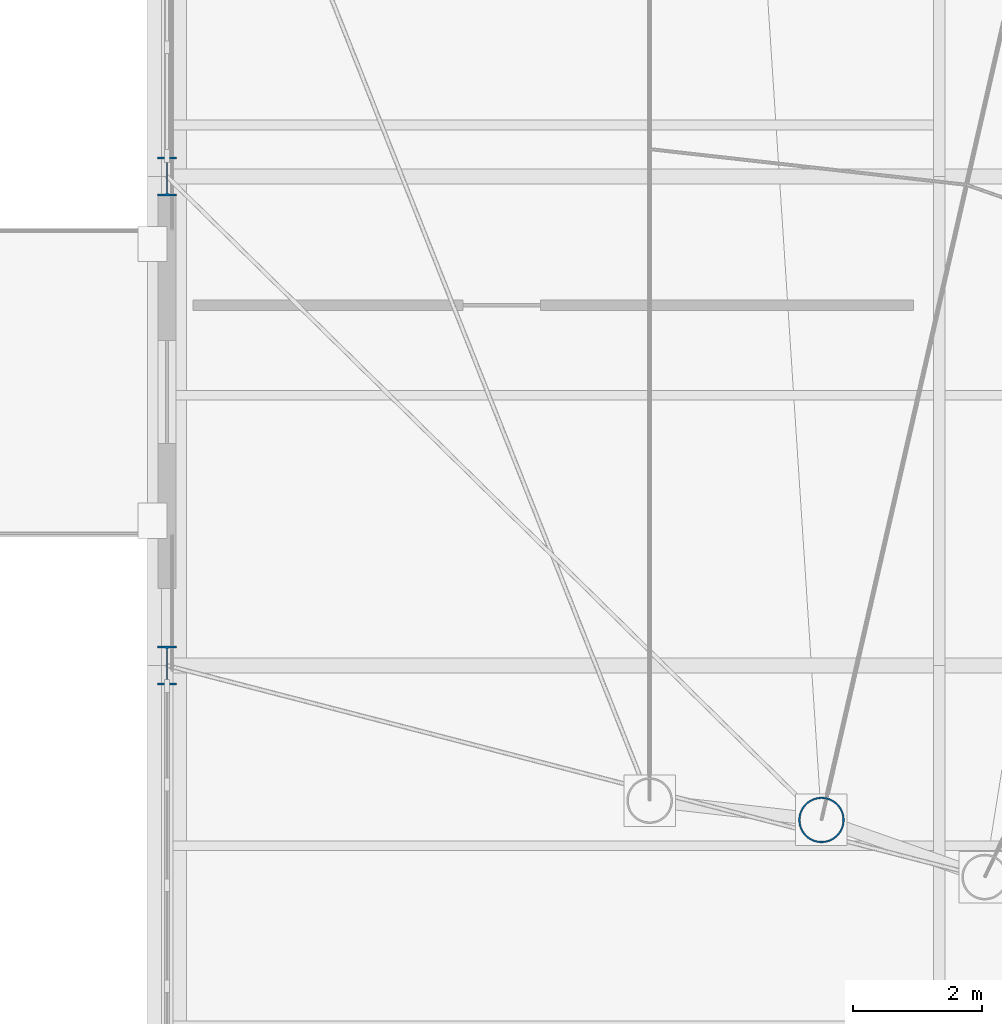
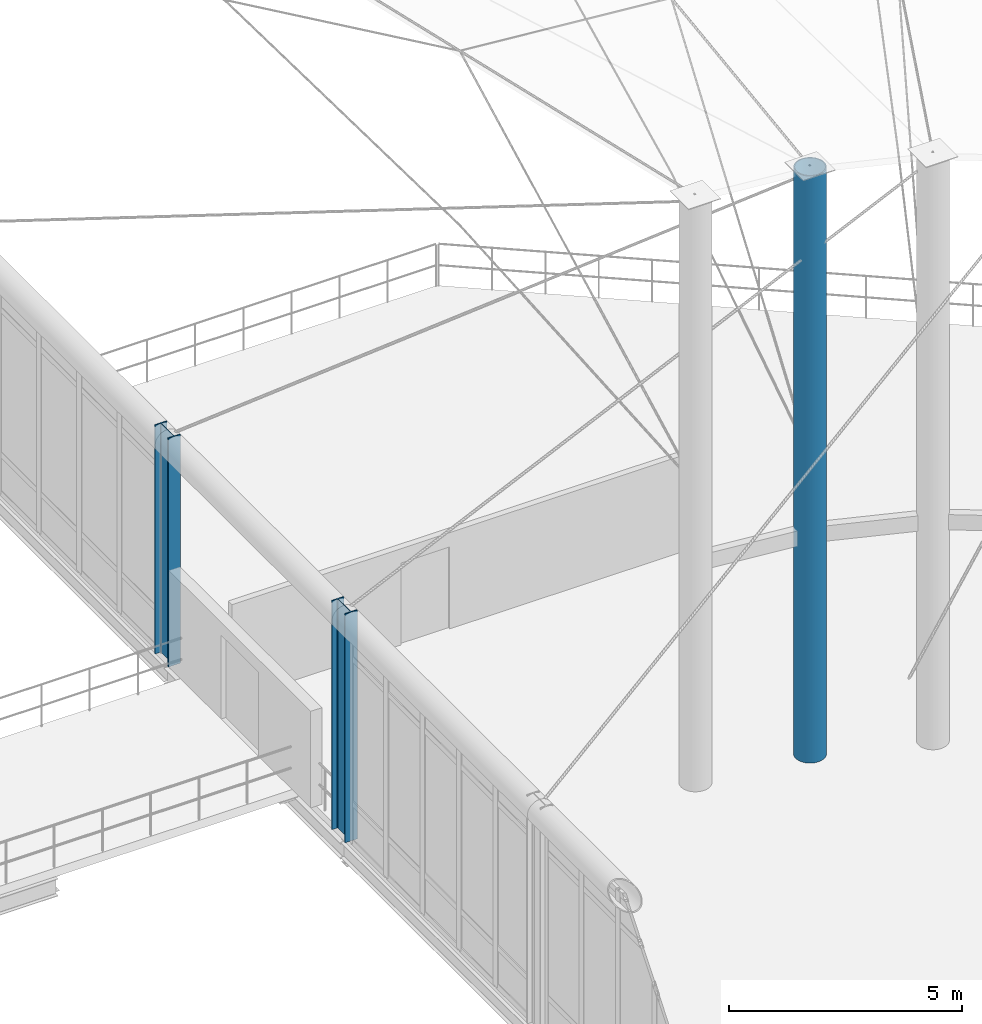
# One storey, part 14 of 101: 3 columns.
"""IFC4 building model written with IfcOpenShell, lengths in metres."""

from ifc_helpers import new_model, si_unit, direction, frame, origin, origin_2d, place, context, subcontext, project, spatial, hollow_circle, i_section, extrude, material, material_profile, profile_set, type_object, element, save


model = new_model("IFC4")

# Units and contexts
model_context = context("Model", 3, precision=1e-05, world=origin(), true_north=direction((0.0, 1.0)))
body_context = subcontext(model_context, "Body", "Model", "MODEL_VIEW")
ifc_project = project(units=[si_unit("LENGTHUNIT", "METRE"), si_unit("AREAUNIT", "SQUARE_METRE"), si_unit("VOLUMEUNIT", "CUBIC_METRE"), si_unit("PLANEANGLEUNIT", "RADIAN"), si_unit("MASSUNIT", "GRAM", prefix="KILO"), si_unit("THERMODYNAMICTEMPERATUREUNIT", "KELVIN"), si_unit("POWERUNIT", "WATT")], contexts=[model_context])

# Site, building, storey
site_placement = place(None, origin())
site = spatial("IfcSite", under=ifc_project, at=site_placement, CompositionType="ELEMENT")
building_placement = place(site_placement, origin())
building = spatial("IfcBuilding", under=site, at=building_placement, Name="Tembeka Court Mobility Hub", CompositionType="ELEMENT")
storey_placement = place(building_placement, frame((0.0, 0.0, 5.39990234375)))
storey = spatial("IfcBuildingStorey", under=building, at=storey_placement, Name="L01", CompositionType="ELEMENT", Elevation=5.39990234375)

# Columns
ifc_material = material(Name="Steel S355", Category="steel")
ifc_material_profile_1 = material_profile(ifc_material, i_section(OverallWidth=0.300048828125, OverallDepth=0.60009765625, WebThickness=0.015380859375, FlangeThickness=0.030029296875, FilletRadius=0.027099609375, at=origin_2d()), Name="HEB 600")
ifc_profile_set_1 = profile_set([ifc_material_profile_1], Name="Steel S355")
column_type_1 = type_object("IfcColumnType", Name="COL-C06", PredefinedType="COLUMN", material=ifc_profile_set_1)
for number, where, z_axis, x_axis, name in (
    (1, (116.39990234375, 80.39990234375, 0.0), (0.0, 0.0, 1.0), (1.0, 0.0, 0.0), "Column C06 (L01-164)"),
    (2, (116.39990234375, 88.0, 0.0), (0.0, 0.0, 1.0), (1.0, 0.0, 0.0), "Column C06 (L01-165)"),
):
    element("IfcColumn", number, at=place(storey_placement, frame(where, z_axis=z_axis, x_axis=x_axis)), inside=storey, type_object=column_type_1, Name=name, PredefinedType="COLUMN", context=body_context, shape_type="SweptSolid", body=[
        extrude(i_section(OverallWidth=0.300048828125, OverallDepth=0.60009765625, WebThickness=0.015380859375, FlangeThickness=0.030029296875, FilletRadius=0.027099609375, at=origin_2d()), origin(), (0.0, 0.0, 1.0), 6.0),
    ])
ifc_material_profile_2 = material_profile(ifc_material, hollow_circle(Radius=0.35546875, WallThickness=0.02490234375, at=origin_2d()), Name="CHS 711x25")
ifc_profile_set_2 = profile_set([ifc_material_profile_2], Name="Steel S355")
column_type_2 = type_object("IfcColumnType", Name="COL-MST01", PredefinedType="COLUMN", material=ifc_profile_set_2)
column_placement = place(storey_placement, frame((126.5703125, 77.9990234375, 0.0), z_axis=(0.0, 0.0, 1.0), x_axis=(1.0, 0.0, 0.0)))
element("IfcColumn", 3, at=column_placement, inside=storey, type_object=column_type_2, Name="Concourse roof mast M7 (L01)", PredefinedType="COLUMN", context=body_context, shape_type="SweptSolid", body=[
    extrude(hollow_circle(Radius=0.35546875, WallThickness=0.02490234375, at=origin_2d()), origin(), (0.0, 0.0, 1.0), 15.400146484375),
])

save(model, "model.ifc")
